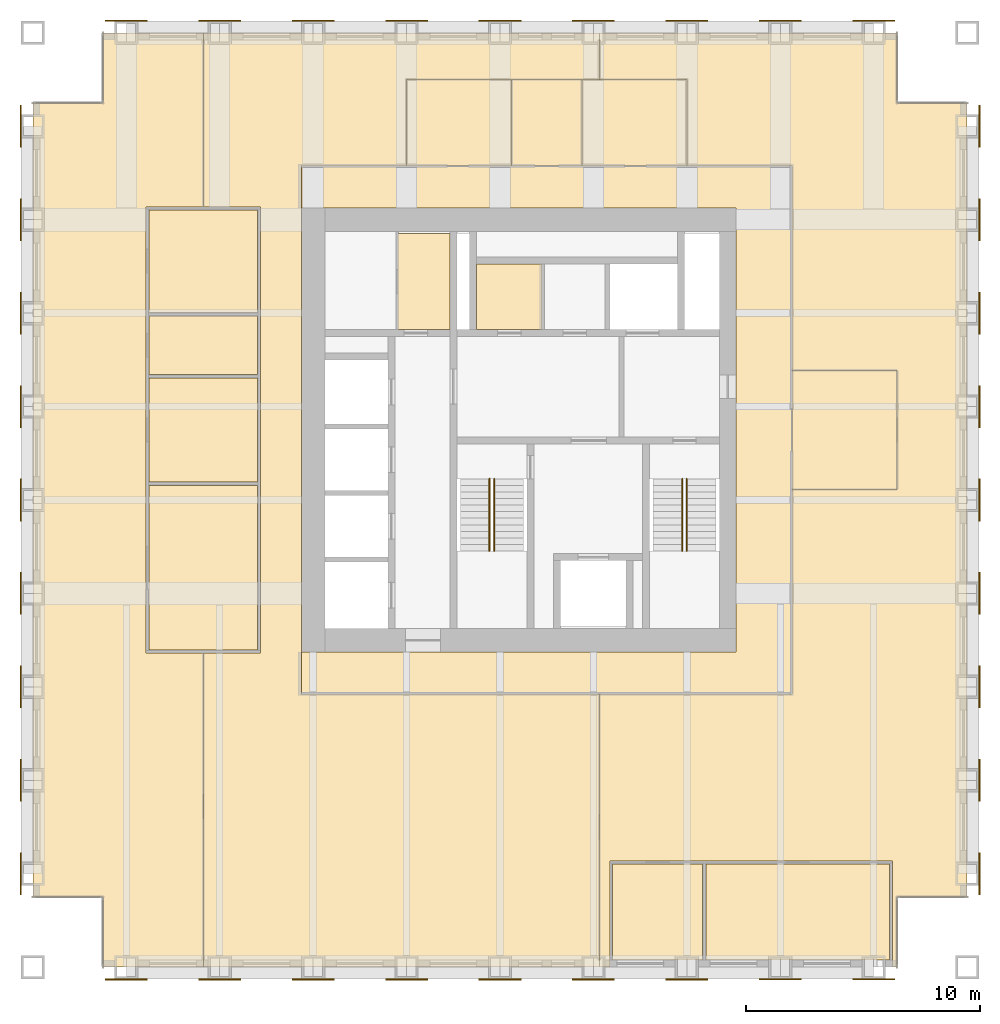
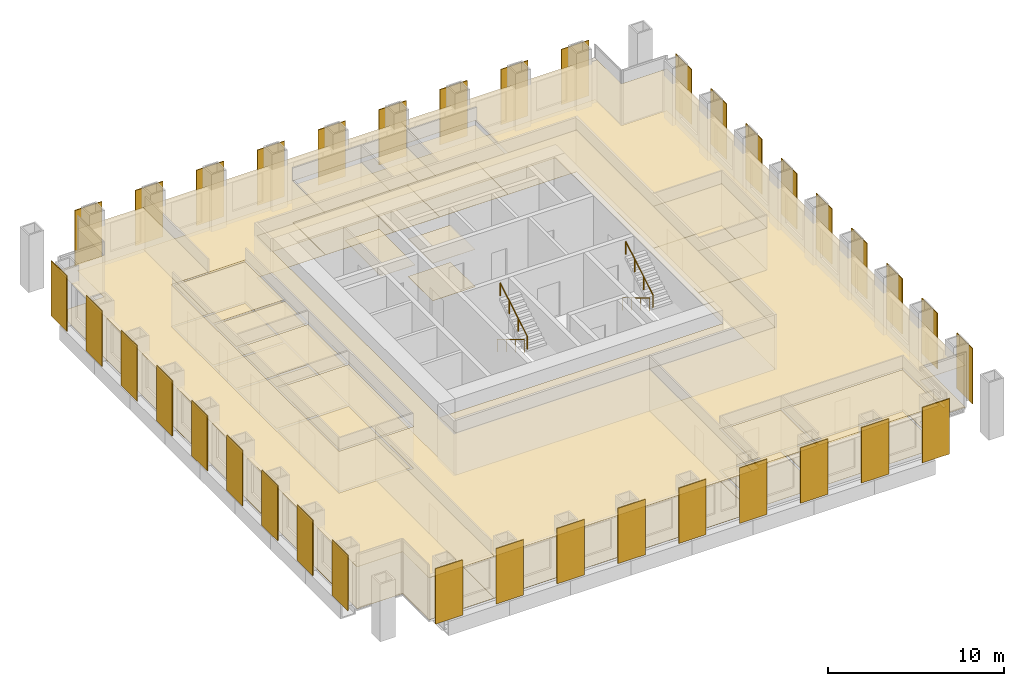
# One storey, part 11 of 11: 36 shading devices, 30 coverings, 4 railings.
"""IFC4 building model written with IfcOpenShell, lengths in metres."""

from ifc_helpers import new_model, si_unit, direction, frame, origin, origin_2d, place, context, subcontext, project, spatial, polyline, rectangle, circle, outline, extrude, material, layer, layer_set, type_object, element, save


model = new_model("IFC4")

# Units and contexts
model_context = context("Model", 3, precision=1e-05, world=origin(), true_north=direction((0.0, 1.0)))
body_context = subcontext(model_context, "Body", "Model", "MODEL_VIEW")
ifc_project = project(units=[si_unit("LENGTHUNIT", "METRE"), si_unit("AREAUNIT", "SQUARE_METRE"), si_unit("VOLUMEUNIT", "CUBIC_METRE"), si_unit("PLANEANGLEUNIT", "RADIAN"), si_unit("MASSUNIT", "GRAM", prefix="KILO")], contexts=[model_context])

# Site, building, storey
site_placement = place(None, origin())
site = spatial("IfcSite", under=ifc_project, at=site_placement, CompositionType="ELEMENT")
building_placement = place(site_placement, origin())
building = spatial("IfcBuilding", under=site, at=building_placement, Name="Rimbunsela Tower", CompositionType="ELEMENT")
storey_placement = place(building_placement, frame((0.0, 0.0, 278.199951171875)))
storey = spatial("IfcBuildingStorey", under=building, at=storey_placement, Name="L67", CompositionType="ELEMENT", Elevation=278.199951171875)

# Coverings
ifc_material_1 = material(Name="Nylon carpet tile", Category="textile")
ifc_layer_1 = layer(ifc_material_1, 0.010009765625)
ifc_layer_set_1 = layer_set([ifc_layer_1], Name="Carpet tile 10")
covering_type_1 = type_object("IfcCoveringType", Name="Carpet tile 10", PredefinedType="FLOORING", material=ifc_layer_set_1)
covering_1_placement = place(storey_placement, origin())
element("IfcCovering", 1, at=covering_1_placement, inside=storey, type_object=covering_type_1, Name="Floor finish Open office", PredefinedType="FLOORING", context=body_context, shape_type="SweptSolid", body=[
    extrude(outline(polyline([(30.699951171875, 8.550048828125), (30.699951171875, 4.0), (30.25, 4.0), (30.25, 15.699951171875), (38.5, 15.699951171875), (38.5, 24.449951171875), (43.0, 24.449951171875), (43.0, 29.550048828125), (38.5, 29.550048828125), (38.5, 38.300048828125), (34.0, 38.300048828125), (34.0, 42.0), (30.25, 42.0), (30.25, 44.0), (38.5, 44.0), (43.0, 44.0), (43.0, 41.0), (46.0, 41.0), (46.0, 7.0), (43.0, 7.0), (43.0, 4.0), (42.800048828125, 4.0), (42.800048828125, 8.550048828125), (38.5, 8.550048828125), (34.800048828125, 8.550048828125), (34.699951171875, 8.550048828125), (30.699951171875, 8.550048828125)])), origin(), (0.0, 0.0, 1.0), 0.010009765625),
])
covering_2_placement = place(storey_placement, origin())
element("IfcCovering", 2, at=covering_2_placement, inside=storey, type_object=covering_type_1, Name="Floor finish Open office", PredefinedType="FLOORING", context=body_context, shape_type="SweptSolid", body=[
    extrude(outline(polyline([(13.300048828125, 4.0), (9.0, 4.0), (9.0, 7.0), (6.0, 7.0), (6.0, 41.0), (9.0, 41.0), (9.0, 44.0), (13.300048828125, 44.0), (13.300048828125, 36.550048828125), (10.85009765625, 36.550048828125), (10.85009765625, 32.0), (10.85009765625, 31.89990234375), (10.85009765625, 29.35009765625), (10.85009765625, 29.25), (10.85009765625, 24.75), (10.85009765625, 24.64990234375), (10.85009765625, 17.449951171875), (13.300048828125, 17.449951171875), (13.300048828125, 4.0)])), origin(), (0.0, 0.0, 1.0), 0.010009765625),
])
covering_3_placement = place(storey_placement, origin())
element("IfcCovering", 3, at=covering_3_placement, inside=storey, type_object=covering_type_1, Name="Floor finish Open office", PredefinedType="FLOORING", context=body_context, shape_type="SweptSolid", body=[
    extrude(outline(polyline([(30.25, 4.0), (17.5, 4.0), (13.300048828125, 4.0), (13.300048828125, 17.449951171875), (15.75, 17.449951171875), (15.75, 24.64990234375), (15.75, 24.75), (15.75, 29.25), (15.75, 29.35009765625), (15.75, 31.89990234375), (15.75, 32.0), (15.75, 36.550048828125), (13.300048828125, 36.550048828125), (13.300048828125, 44.0), (17.5, 44.0), (30.25, 44.0), (30.25, 42.0), (22.0, 42.0), (22.0, 38.300048828125), (17.5, 38.300048828125), (17.5, 36.5), (17.5, 17.5), (17.5, 15.699951171875), (30.25, 15.699951171875), (30.25, 4.0)])), origin(), (0.0, 0.0, 1.0), 0.010009765625),
])
covering_4_placement = place(storey_placement, origin())
element("IfcCovering", 4, at=covering_4_placement, inside=storey, type_object=covering_type_1, Name="Floor finish Reception", PredefinedType="FLOORING", context=body_context, shape_type="SweptSolid", body=[
    extrude(outline(polyline([(43.0, 24.449951171875), (43.0, 29.550048828125), (38.5, 29.550048828125), (38.5, 24.449951171875), (43.0, 24.449951171875)])), origin(), (0.0, 0.0, 1.0), 0.010009765625),
])
covering_5_placement = place(storey_placement, origin())
element("IfcCovering", 5, at=covering_5_placement, inside=storey, type_object=covering_type_1, Name="Floor finish Executive office", PredefinedType="FLOORING", context=body_context, shape_type="SweptSolid", body=[
    extrude(outline(polyline([(34.675048828125, 4.300048828125), (34.675048828125, 8.425048828125), (30.824951171875, 8.425048828125), (30.824951171875, 4.300048828125), (34.675048828125, 4.300048828125)])), origin(), (0.0, 0.0, 1.0), 0.010009765625),
])
covering_6_placement = place(storey_placement, origin())
element("IfcCovering", 6, at=covering_6_placement, inside=storey, type_object=covering_type_1, Name="Floor finish Executive office", PredefinedType="FLOORING", context=body_context, shape_type="SweptSolid", body=[
    extrude(outline(polyline([(42.675048828125, 4.300048828125), (42.675048828125, 8.425048828125), (34.824951171875, 8.425048828125), (34.824951171875, 4.300048828125), (42.675048828125, 4.300048828125)])), origin(), (0.0, 0.0, 1.0), 0.010009765625),
])
covering_7_placement = place(storey_placement, origin())
element("IfcCovering", 7, at=covering_7_placement, inside=storey, type_object=covering_type_1, Name="Floor finish Boardroom", PredefinedType="FLOORING", context=body_context, shape_type="SweptSolid", body=[
    extrude(outline(polyline([(15.625, 17.574951171875), (15.625, 24.625), (10.97509765625, 24.625), (10.97509765625, 17.574951171875), (15.625, 17.574951171875)])), origin(), (0.0, 0.0, 1.0), 0.010009765625),
])
covering_8_placement = place(storey_placement, origin())
element("IfcCovering", 8, at=covering_8_placement, inside=storey, type_object=covering_type_1, Name="Floor finish Pantry", PredefinedType="FLOORING", context=body_context, shape_type="SweptSolid", body=[
    extrude(outline(polyline([(15.625, 24.77490234375), (15.625, 29.22509765625), (10.97509765625, 29.22509765625), (10.97509765625, 24.77490234375), (15.625, 24.77490234375)])), origin(), (0.0, 0.0, 1.0), 0.010009765625),
])
covering_9_placement = place(storey_placement, origin())
element("IfcCovering", 9, at=covering_9_placement, inside=storey, type_object=covering_type_1, Name="Floor finish Print and copy room", PredefinedType="FLOORING", context=body_context, shape_type="SweptSolid", body=[
    extrude(outline(polyline([(15.625, 29.375), (15.625, 31.875), (10.97509765625, 31.875), (10.97509765625, 29.375), (15.625, 29.375)])), origin(), (0.0, 0.0, 1.0), 0.010009765625),
])
covering_10_placement = place(storey_placement, origin())
element("IfcCovering", 10, at=covering_10_placement, inside=storey, type_object=covering_type_1, Name="Floor finish Office", PredefinedType="FLOORING", context=body_context, shape_type="SweptSolid", body=[
    extrude(outline(polyline([(15.625, 32.02490234375), (15.625, 36.425048828125), (10.97509765625, 36.425048828125), (10.97509765625, 32.02490234375), (15.625, 32.02490234375)])), origin(), (0.0, 0.0, 1.0), 0.010009765625),
])
ifc_material_2 = material(Name="Mineral fibre ceiling tile", Category="gypsum")
ifc_layer_2 = layer(ifc_material_2, 0.02001953125)
ifc_layer_set_2 = layer_set([ifc_layer_2], Name="Ceiling 600 grid")
covering_type_2 = type_object("IfcCoveringType", Name="Ceiling 600 grid", PredefinedType="CEILING", material=ifc_layer_set_2)
covering_11_placement = place(storey_placement, frame((0.0, 0.0, 2.900146484375)))
element("IfcCovering", 11, at=covering_11_placement, inside=storey, type_object=covering_type_2, Name="Ceiling Staff pantry", PredefinedType="CEILING", context=body_context, shape_type="SweptSolid", body=[
    extrude(outline(polyline([(23.85009765625, 31.300048828125), (23.85009765625, 35.39990234375), (21.60009765625, 35.39990234375), (21.60009765625, 31.300048828125), (23.85009765625, 31.300048828125)])), origin(), (0.0, 0.0, 1.0), 0.02001953125),
])
covering_12_placement = place(storey_placement, frame((0.0, 0.0, 2.900146484375)))
element("IfcCovering", 12, at=covering_12_placement, inside=storey, type_object=covering_type_2, Name="Ceiling U-shaped corridor", PredefinedType="CEILING", context=body_context, shape_type="SweptSolid", body=[
    extrude(outline(polyline([(38.5, 38.300048828125), (38.5, 15.699951171875), (17.5, 15.699951171875), (17.5, 17.5), (36.10009765625, 17.5), (36.10009765625, 36.5), (17.5, 36.5), (17.5, 38.300048828125), (38.5, 38.300048828125)])), origin(), (0.0, 0.0, 1.0), 0.02001953125),
])
covering_13_placement = place(storey_placement, frame((0.0, 0.0, 2.900146484375)))
element("IfcCovering", 13, at=covering_13_placement, inside=storey, type_object=covering_type_2, Name="Ceiling Open office", PredefinedType="CEILING", context=body_context, shape_type="SweptSolid", body=[
    extrude(outline(polyline([(30.699951171875, 8.550048828125), (30.699951171875, 4.0), (30.25, 4.0), (30.25, 15.699951171875), (38.5, 15.699951171875), (38.5, 24.449951171875), (43.0, 24.449951171875), (43.0, 29.550048828125), (38.5, 29.550048828125), (38.5, 38.300048828125), (34.0, 38.300048828125), (34.0, 42.0), (30.25, 42.0), (30.25, 44.0), (38.5, 44.0), (43.0, 44.0), (43.0, 41.0), (46.0, 41.0), (46.0, 7.0), (43.0, 7.0), (43.0, 4.0), (42.800048828125, 4.0), (42.800048828125, 8.550048828125), (38.5, 8.550048828125), (34.800048828125, 8.550048828125), (34.699951171875, 8.550048828125), (30.699951171875, 8.550048828125)])), origin(), (0.0, 0.0, 1.0), 0.02001953125),
])
covering_14_placement = place(storey_placement, frame((0.0, 0.0, 2.900146484375)))
element("IfcCovering", 14, at=covering_14_placement, inside=storey, type_object=covering_type_2, Name="Ceiling Open office", PredefinedType="CEILING", context=body_context, shape_type="SweptSolid", body=[
    extrude(outline(polyline([(13.300048828125, 4.0), (9.0, 4.0), (9.0, 7.0), (6.0, 7.0), (6.0, 41.0), (9.0, 41.0), (9.0, 44.0), (13.300048828125, 44.0), (13.300048828125, 36.550048828125), (10.85009765625, 36.550048828125), (10.85009765625, 32.0), (10.85009765625, 31.89990234375), (10.85009765625, 29.35009765625), (10.85009765625, 29.25), (10.85009765625, 24.75), (10.85009765625, 24.64990234375), (10.85009765625, 17.449951171875), (13.300048828125, 17.449951171875), (13.300048828125, 4.0)])), origin(), (0.0, 0.0, 1.0), 0.02001953125),
])
covering_15_placement = place(storey_placement, frame((0.0, 0.0, 2.900146484375)))
element("IfcCovering", 15, at=covering_15_placement, inside=storey, type_object=covering_type_2, Name="Ceiling Open office", PredefinedType="CEILING", context=body_context, shape_type="SweptSolid", body=[
    extrude(outline(polyline([(30.25, 4.0), (17.5, 4.0), (13.300048828125, 4.0), (13.300048828125, 17.449951171875), (15.75, 17.449951171875), (15.75, 24.64990234375), (15.75, 24.75), (15.75, 29.25), (15.75, 29.35009765625), (15.75, 31.89990234375), (15.75, 32.0), (15.75, 36.550048828125), (13.300048828125, 36.550048828125), (13.300048828125, 44.0), (17.5, 44.0), (30.25, 44.0), (30.25, 42.0), (22.0, 42.0), (22.0, 38.300048828125), (17.5, 38.300048828125), (17.5, 36.5), (17.5, 17.5), (17.5, 15.699951171875), (30.25, 15.699951171875), (30.25, 4.0)])), origin(), (0.0, 0.0, 1.0), 0.02001953125),
])
covering_16_placement = place(storey_placement, frame((0.0, 0.0, 2.900146484375)))
element("IfcCovering", 16, at=covering_16_placement, inside=storey, type_object=covering_type_2, Name="Ceiling Reception", PredefinedType="CEILING", context=body_context, shape_type="SweptSolid", body=[
    extrude(outline(polyline([(43.0, 24.449951171875), (43.0, 29.550048828125), (38.5, 29.550048828125), (38.5, 24.449951171875), (43.0, 24.449951171875)])), origin(), (0.0, 0.0, 1.0), 0.02001953125),
])
covering_17_placement = place(storey_placement, frame((0.0, 0.0, 2.900146484375)))
element("IfcCovering", 17, at=covering_17_placement, inside=storey, type_object=covering_type_2, Name="Ceiling Executive office", PredefinedType="CEILING", context=body_context, shape_type="SweptSolid", body=[
    extrude(outline(polyline([(34.675048828125, 4.300048828125), (34.675048828125, 8.425048828125), (30.824951171875, 8.425048828125), (30.824951171875, 4.300048828125), (34.675048828125, 4.300048828125)])), origin(), (0.0, 0.0, 1.0), 0.02001953125),
])
covering_18_placement = place(storey_placement, frame((0.0, 0.0, 2.900146484375)))
element("IfcCovering", 18, at=covering_18_placement, inside=storey, type_object=covering_type_2, Name="Ceiling Executive office", PredefinedType="CEILING", context=body_context, shape_type="SweptSolid", body=[
    extrude(outline(polyline([(42.675048828125, 4.300048828125), (42.675048828125, 8.425048828125), (34.824951171875, 8.425048828125), (34.824951171875, 4.300048828125), (42.675048828125, 4.300048828125)])), origin(), (0.0, 0.0, 1.0), 0.02001953125),
])
covering_19_placement = place(storey_placement, frame((0.0, 0.0, 2.900146484375)))
element("IfcCovering", 19, at=covering_19_placement, inside=storey, type_object=covering_type_2, Name="Ceiling Boardroom", PredefinedType="CEILING", context=body_context, shape_type="SweptSolid", body=[
    extrude(outline(polyline([(15.625, 17.574951171875), (15.625, 24.625), (10.97509765625, 24.625), (10.97509765625, 17.574951171875), (15.625, 17.574951171875)])), origin(), (0.0, 0.0, 1.0), 0.02001953125),
])
covering_20_placement = place(storey_placement, frame((0.0, 0.0, 2.900146484375)))
element("IfcCovering", 20, at=covering_20_placement, inside=storey, type_object=covering_type_2, Name="Ceiling Pantry", PredefinedType="CEILING", context=body_context, shape_type="SweptSolid", body=[
    extrude(outline(polyline([(15.625, 24.77490234375), (15.625, 29.22509765625), (10.97509765625, 29.22509765625), (10.97509765625, 24.77490234375), (15.625, 24.77490234375)])), origin(), (0.0, 0.0, 1.0), 0.02001953125),
])
covering_21_placement = place(storey_placement, frame((0.0, 0.0, 2.900146484375)))
element("IfcCovering", 21, at=covering_21_placement, inside=storey, type_object=covering_type_2, Name="Ceiling Print and copy room", PredefinedType="CEILING", context=body_context, shape_type="SweptSolid", body=[
    extrude(outline(polyline([(15.625, 29.375), (15.625, 31.875), (10.97509765625, 31.875), (10.97509765625, 29.375), (15.625, 29.375)])), origin(), (0.0, 0.0, 1.0), 0.02001953125),
])
covering_22_placement = place(storey_placement, frame((0.0, 0.0, 2.900146484375)))
element("IfcCovering", 22, at=covering_22_placement, inside=storey, type_object=covering_type_2, Name="Ceiling Office", PredefinedType="CEILING", context=body_context, shape_type="SweptSolid", body=[
    extrude(outline(polyline([(15.625, 32.02490234375), (15.625, 36.425048828125), (10.97509765625, 36.425048828125), (10.97509765625, 32.02490234375), (15.625, 32.02490234375)])), origin(), (0.0, 0.0, 1.0), 0.02001953125),
])
ifc_material_3 = material(Name="Moisture-resistant plasterboard ceiling", Category="gypsum")
ifc_layer_3 = layer(ifc_material_3, 0.012451171875)
ifc_layer_set_3 = layer_set([ifc_layer_3], Name="Ceiling moisture-resistant board")
covering_type_3 = type_object("IfcCoveringType", Name="Ceiling moisture-resistant board", PredefinedType="CEILING", material=ifc_layer_set_3)
covering_23_placement = place(storey_placement, frame((0.0, 0.0, 2.60009765625)))
element("IfcCovering", 23, at=covering_23_placement, inside=storey, type_object=covering_type_3, Name="Ceiling Staff WC", PredefinedType="CEILING", context=body_context, shape_type="SweptSolid", body=[
    extrude(outline(polyline([(27.800048828125, 31.300048828125), (27.800048828125, 34.10009765625), (25.0, 34.10009765625), (25.0, 31.300048828125), (27.800048828125, 31.300048828125)])), origin(), (0.0, 0.0, 1.0), 0.02001953125),
])
covering_24_placement = place(storey_placement, frame((0.0, 0.0, 2.60009765625)))
element("IfcCovering", 24, at=covering_24_placement, inside=storey, type_object=covering_type_3, Name="Ceiling Female WC", PredefinedType="CEILING", context=body_context, shape_type="SweptSolid", body=[
    extrude(outline(polyline([(26.5, 38.300048828125), (26.5, 42.0), (22.0, 42.0), (22.0, 38.300048828125), (26.5, 38.300048828125)])), origin(), (0.0, 0.0, 1.0), 0.02001953125),
])
covering_25_placement = place(storey_placement, frame((0.0, 0.0, 2.60009765625)))
element("IfcCovering", 25, at=covering_25_placement, inside=storey, type_object=covering_type_3, Name="Ceiling Accessible WC", PredefinedType="CEILING", context=body_context, shape_type="SweptSolid", body=[
    extrude(outline(polyline([(29.5, 38.300048828125), (29.5, 42.0), (26.5, 42.0), (26.5, 38.300048828125), (29.5, 38.300048828125)])), origin(), (0.0, 0.0, 1.0), 0.02001953125),
])
covering_26_placement = place(storey_placement, frame((0.0, 0.0, 2.60009765625)))
element("IfcCovering", 26, at=covering_26_placement, inside=storey, type_object=covering_type_3, Name="Ceiling Male WC", PredefinedType="CEILING", context=body_context, shape_type="SweptSolid", body=[
    extrude(outline(polyline([(34.0, 38.300048828125), (34.0, 42.0), (29.5, 42.0), (29.5, 38.300048828125), (34.0, 38.300048828125)])), origin(), (0.0, 0.0, 1.0), 0.02001953125),
])
ifc_material_4 = material(Name="Porcelain floor tile in adhesive bed", Category="ceramic")
ifc_layer_4 = layer(ifc_material_4, 0.02001953125)
ifc_layer_set_4 = layer_set([ifc_layer_4], Name="Porcelain tile 20")
covering_type_4 = type_object("IfcCoveringType", Name="Porcelain tile 20", PredefinedType="FLOORING", material=ifc_layer_set_4)
covering_27_placement = place(storey_placement, origin())
element("IfcCovering", 27, at=covering_27_placement, inside=storey, type_object=covering_type_4, Name="Floor finish Staff WC", PredefinedType="FLOORING", context=body_context, shape_type="SweptSolid", body=[
    extrude(outline(polyline([(27.800048828125, 31.300048828125), (27.800048828125, 34.10009765625), (25.0, 34.10009765625), (25.0, 31.300048828125), (27.800048828125, 31.300048828125)])), origin(), (0.0, 0.0, 1.0), 0.02001953125),
])
covering_28_placement = place(storey_placement, origin())
element("IfcCovering", 28, at=covering_28_placement, inside=storey, type_object=covering_type_4, Name="Floor finish Female WC", PredefinedType="FLOORING", context=body_context, shape_type="SweptSolid", body=[
    extrude(outline(polyline([(26.5, 38.300048828125), (26.5, 42.0), (22.0, 42.0), (22.0, 38.300048828125), (26.5, 38.300048828125)])), origin(), (0.0, 0.0, 1.0), 0.02001953125),
])
covering_29_placement = place(storey_placement, origin())
element("IfcCovering", 29, at=covering_29_placement, inside=storey, type_object=covering_type_4, Name="Floor finish Accessible WC", PredefinedType="FLOORING", context=body_context, shape_type="SweptSolid", body=[
    extrude(outline(polyline([(29.5, 38.300048828125), (29.5, 42.0), (26.5, 42.0), (26.5, 38.300048828125), (29.5, 38.300048828125)])), origin(), (0.0, 0.0, 1.0), 0.02001953125),
])
covering_30_placement = place(storey_placement, origin())
element("IfcCovering", 30, at=covering_30_placement, inside=storey, type_object=covering_type_4, Name="Floor finish Male WC", PredefinedType="FLOORING", context=body_context, shape_type="SweptSolid", body=[
    extrude(outline(polyline([(34.0, 38.300048828125), (34.0, 42.0), (29.5, 42.0), (29.5, 38.300048828125), (34.0, 38.300048828125)])), origin(), (0.0, 0.0, 1.0), 0.02001953125),
])

# Shading devices
ifc_material_5 = material(Name="Perforated aluminium, 35 % open area", Category="aluminium")
ifc_layer_5 = layer(ifc_material_5, 0.050048828125)
ifc_layer_set_5 = layer_set([ifc_layer_5], Name="Solar screen panel 1800")
shading_device_type = type_object("IfcShadingDeviceType", Name="Solar screen panel 1800", PredefinedType="USERDEFINED", material=ifc_layer_set_5)
for number, where, z_axis, x_axis, name in (
    (31, (10.0, 3.47509765625, 0.0), (0.0, 0.0, 1.0), (1.0, 0.0, 0.0), "Solar screen S L67"),
    (32, (14.0, 3.47509765625, 0.0), (0.0, 0.0, 1.0), (1.0, 0.0, 0.0), "Solar screen S L67"),
    (33, (18.0, 3.47509765625, 0.0), (0.0, 0.0, 1.0), (1.0, 0.0, 0.0), "Solar screen S L67"),
    (34, (22.0, 3.47509765625, 0.0), (0.0, 0.0, 1.0), (1.0, 0.0, 0.0), "Solar screen S L67"),
    (35, (26.0, 3.47509765625, 0.0), (0.0, 0.0, 1.0), (1.0, 0.0, 0.0), "Solar screen S L67"),
    (36, (30.0, 3.47509765625, 0.0), (0.0, 0.0, 1.0), (1.0, 0.0, 0.0), "Solar screen S L67"),
    (37, (34.0, 3.47509765625, 0.0), (0.0, 0.0, 1.0), (1.0, 0.0, 0.0), "Solar screen S L67"),
    (38, (38.0, 3.47509765625, 0.0), (0.0, 0.0, 1.0), (1.0, 0.0, 0.0), "Solar screen S L67"),
    (39, (42.0, 3.47509765625, 0.0), (0.0, 0.0, 1.0), (1.0, 0.0, 0.0), "Solar screen S L67"),
    (40, (46.52490234375, 8.0, 0.0), (0.0, 0.0, 1.0), (0.0, 1.0, 0.0), "Solar screen E L67"),
    (41, (46.52490234375, 12.0, 0.0), (0.0, 0.0, 1.0), (0.0, 1.0, 0.0), "Solar screen E L67"),
    (42, (46.52490234375, 16.0, 0.0), (0.0, 0.0, 1.0), (0.0, 1.0, 0.0), "Solar screen E L67"),
    (43, (46.52490234375, 20.0, 0.0), (0.0, 0.0, 1.0), (0.0, 1.0, 0.0), "Solar screen E L67"),
    (44, (46.52490234375, 24.0, 0.0), (0.0, 0.0, 1.0), (0.0, 1.0, 0.0), "Solar screen E L67"),
    (45, (46.52490234375, 28.0, 0.0), (0.0, 0.0, 1.0), (0.0, 1.0, 0.0), "Solar screen E L67"),
    (46, (46.52490234375, 32.0, 0.0), (0.0, 0.0, 1.0), (0.0, 1.0, 0.0), "Solar screen E L67"),
    (47, (46.52490234375, 36.0, 0.0), (0.0, 0.0, 1.0), (0.0, 1.0, 0.0), "Solar screen E L67"),
    (48, (46.52490234375, 40.0, 0.0), (0.0, 0.0, 1.0), (0.0, 1.0, 0.0), "Solar screen E L67"),
    (49, (10.0, 44.52490234375, 0.0), (0.0, 0.0, 1.0), (1.0, 0.0, 0.0), "Solar screen N L67"),
    (50, (14.0, 44.52490234375, 0.0), (0.0, 0.0, 1.0), (1.0, 0.0, 0.0), "Solar screen N L67"),
    (51, (18.0, 44.52490234375, 0.0), (0.0, 0.0, 1.0), (1.0, 0.0, 0.0), "Solar screen N L67"),
    (52, (22.0, 44.52490234375, 0.0), (0.0, 0.0, 1.0), (1.0, 0.0, 0.0), "Solar screen N L67"),
    (53, (26.0, 44.52490234375, 0.0), (0.0, 0.0, 1.0), (1.0, 0.0, 0.0), "Solar screen N L67"),
    (54, (30.0, 44.52490234375, 0.0), (0.0, 0.0, 1.0), (1.0, 0.0, 0.0), "Solar screen N L67"),
    (55, (34.0, 44.52490234375, 0.0), (0.0, 0.0, 1.0), (1.0, 0.0, 0.0), "Solar screen N L67"),
    (56, (38.0, 44.52490234375, 0.0), (0.0, 0.0, 1.0), (1.0, 0.0, 0.0), "Solar screen N L67"),
    (57, (42.0, 44.52490234375, 0.0), (0.0, 0.0, 1.0), (1.0, 0.0, 0.0), "Solar screen N L67"),
    (58, (5.47509765625, 8.0, 0.0), (0.0, 0.0, 1.0), (0.0, 1.0, 0.0), "Solar screen W L67"),
    (59, (5.47509765625, 12.0, 0.0), (0.0, 0.0, 1.0), (0.0, 1.0, 0.0), "Solar screen W L67"),
    (60, (5.47509765625, 16.0, 0.0), (0.0, 0.0, 1.0), (0.0, 1.0, 0.0), "Solar screen W L67"),
    (61, (5.47509765625, 20.0, 0.0), (0.0, 0.0, 1.0), (0.0, 1.0, 0.0), "Solar screen W L67"),
    (62, (5.47509765625, 24.0, 0.0), (0.0, 0.0, 1.0), (0.0, 1.0, 0.0), "Solar screen W L67"),
    (63, (5.47509765625, 28.0, 0.0), (0.0, 0.0, 1.0), (0.0, 1.0, 0.0), "Solar screen W L67"),
    (64, (5.47509765625, 32.0, 0.0), (0.0, 0.0, 1.0), (0.0, 1.0, 0.0), "Solar screen W L67"),
    (65, (5.47509765625, 36.0, 0.0), (0.0, 0.0, 1.0), (0.0, 1.0, 0.0), "Solar screen W L67"),
    (66, (5.47509765625, 40.0, 0.0), (0.0, 0.0, 1.0), (0.0, 1.0, 0.0), "Solar screen W L67"),
):
    element("IfcShadingDevice", number, at=place(storey_placement, frame(where, z_axis=z_axis, x_axis=x_axis)), inside=storey, type_object=shading_device_type, Name=name, ObjectType="SCREEN", PredefinedType="USERDEFINED", context=body_context, shape_type="SweptSolid", body=[
        extrude(rectangle(XDim=1.800048828125, YDim=0.050048828125, at=origin_2d()), origin(), (0.0, 0.0, 1.0), 3.85009765625),
    ])

# Railings
ifc_material_6 = material(Name="Stainless steel tube", Category="steel")
railing_type = type_object("IfcRailingType", Name="Stair handrail 900", PredefinedType="HANDRAIL", material=ifc_material_6)
railing_1_placement = place(storey_placement, frame((25.550048828125, 24.89990234375, 0.166748046875)))
element("IfcRailing", 67, at=railing_1_placement, inside=storey, type_object=railing_type, Name="Handrail ST-A flight 1", PredefinedType="HANDRAIL", context=body_context, shape_type="SweptSolid", body=[
    extrude(circle(Radius=0.02392578125, at=origin_2d()), frame((0.0, 0.0, 0.8759765625), z_axis=(0.0, -0.859290745958, 0.51148745235), x_axis=(1.0, 0.0, 0.0)), (0.0, 0.0, 1.0), 3.584228515625),
    extrude(circle(Radius=0.02099609375, at=origin_2d()), origin(), (0.0, 0.0, 1.0), 0.851806640625),
    extrude(circle(Radius=0.02099609375, at=origin_2d()), frame((0.0, -1.026611328125, 0.611083984375)), (0.0, 0.0, 1.0), 0.851806640625),
    extrude(circle(Radius=0.02099609375, at=origin_2d()), frame((0.0, -2.05322265625, 1.22216796875)), (0.0, 0.0, 1.0), 0.851806640625),
    extrude(circle(Radius=0.02099609375, at=origin_2d()), frame((0.0, -3.079833984375, 1.833251953125)), (0.0, 0.0, 1.0), 0.851806640625),
])
railing_2_placement = place(storey_placement, frame((25.75, 21.820068359375, 2.166748046875)))
element("IfcRailing", 68, at=railing_2_placement, inside=storey, type_object=railing_type, Name="Handrail ST-A flight 2", PredefinedType="HANDRAIL", context=body_context, shape_type="SweptSolid", body=[
    extrude(circle(Radius=0.02392578125, at=origin_2d()), frame((0.0, 0.0, 0.8759765625), z_axis=(0.0, 0.859290745958, 0.51148745235), x_axis=(-1.0, 0.0, 0.0)), (0.0, 0.0, 1.0), 3.584228515625),
    extrude(circle(Radius=0.02099609375, at=origin_2d()), origin(), (0.0, 0.0, 1.0), 0.851806640625),
    extrude(circle(Radius=0.02099609375, at=origin_2d()), frame((0.0, 1.026611328125, 0.611083984375)), (0.0, 0.0, 1.0), 0.851806640625),
    extrude(circle(Radius=0.02099609375, at=origin_2d()), frame((0.0, 2.05322265625, 1.22216796875)), (0.0, 0.0, 1.0), 0.851806640625),
    extrude(circle(Radius=0.02099609375, at=origin_2d()), frame((0.0, 3.079833984375, 1.833251953125)), (0.0, 0.0, 1.0), 0.851806640625),
])
railing_3_placement = place(storey_placement, frame((33.800048828125, 24.89990234375, 0.166748046875)))
element("IfcRailing", 69, at=railing_3_placement, inside=storey, type_object=railing_type, Name="Handrail ST-B flight 1", PredefinedType="HANDRAIL", context=body_context, shape_type="SweptSolid", body=[
    extrude(circle(Radius=0.02392578125, at=origin_2d()), frame((0.0, 0.0, 0.8759765625), z_axis=(0.0, -0.859290745958, 0.51148745235), x_axis=(1.0, 0.0, 0.0)), (0.0, 0.0, 1.0), 3.584228515625),
    extrude(circle(Radius=0.02099609375, at=origin_2d()), origin(), (0.0, 0.0, 1.0), 0.851806640625),
    extrude(circle(Radius=0.02099609375, at=origin_2d()), frame((0.0, -1.026611328125, 0.611083984375)), (0.0, 0.0, 1.0), 0.851806640625),
    extrude(circle(Radius=0.02099609375, at=origin_2d()), frame((0.0, -2.05322265625, 1.22216796875)), (0.0, 0.0, 1.0), 0.851806640625),
    extrude(circle(Radius=0.02099609375, at=origin_2d()), frame((0.0, -3.079833984375, 1.833251953125)), (0.0, 0.0, 1.0), 0.851806640625),
])
railing_4_placement = place(storey_placement, frame((34.0, 21.820068359375, 2.166748046875)))
element("IfcRailing", 70, at=railing_4_placement, inside=storey, type_object=railing_type, Name="Handrail ST-B flight 2", PredefinedType="HANDRAIL", context=body_context, shape_type="SweptSolid", body=[
    extrude(circle(Radius=0.02392578125, at=origin_2d()), frame((0.0, 0.0, 0.8759765625), z_axis=(0.0, 0.859290745958, 0.51148745235), x_axis=(-1.0, 0.0, 0.0)), (0.0, 0.0, 1.0), 3.584228515625),
    extrude(circle(Radius=0.02099609375, at=origin_2d()), origin(), (0.0, 0.0, 1.0), 0.851806640625),
    extrude(circle(Radius=0.02099609375, at=origin_2d()), frame((0.0, 1.026611328125, 0.611083984375)), (0.0, 0.0, 1.0), 0.851806640625),
    extrude(circle(Radius=0.02099609375, at=origin_2d()), frame((0.0, 2.05322265625, 1.22216796875)), (0.0, 0.0, 1.0), 0.851806640625),
    extrude(circle(Radius=0.02099609375, at=origin_2d()), frame((0.0, 3.079833984375, 1.833251953125)), (0.0, 0.0, 1.0), 0.851806640625),
])

save(model, "model.ifc")
